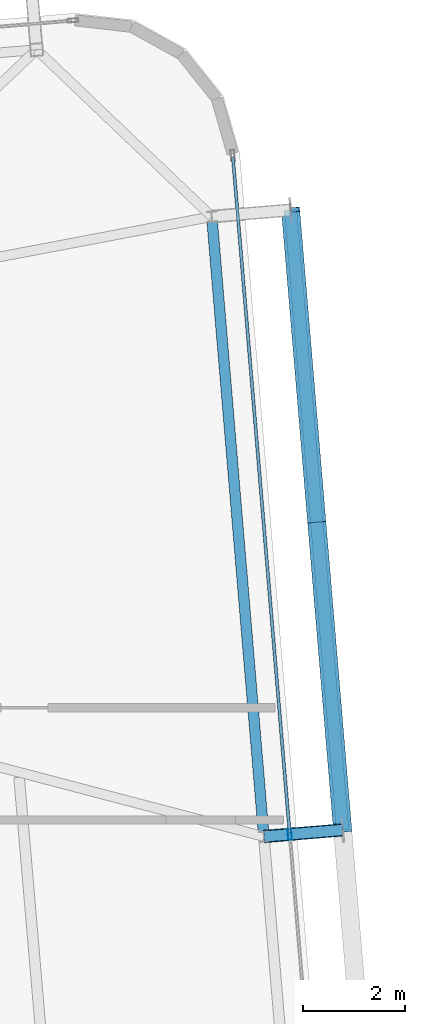
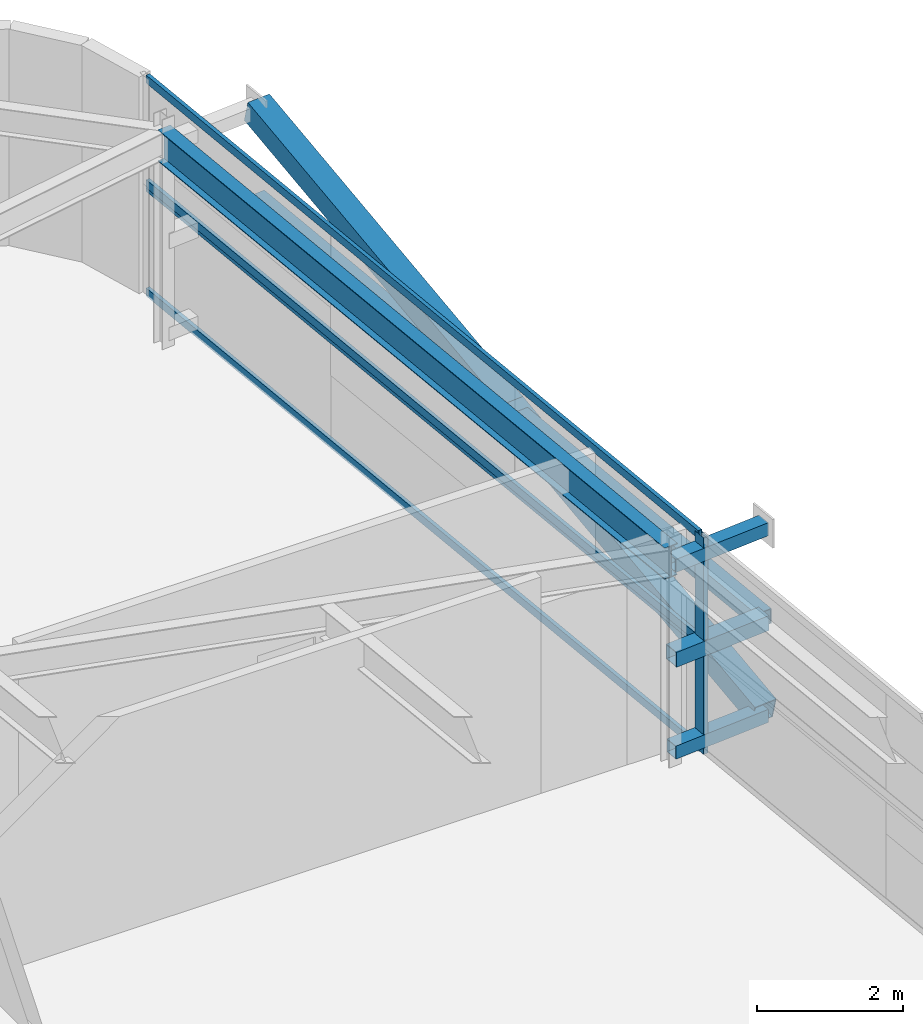
# One storey, part 18 of 38: 12 members, 1 beam, 2 elements without a shape of their own.
"""IFC4 building model written with IfcOpenShell, lengths in metres."""

import ifcopenshell
import ifcopenshell.guid

model = None  # the IFC model being written
_history = None  # IfcOwnerHistory: only IFC2X3 demands one
_inside = {}  # id of a spatial element -> (the spatial element, [elements in it])
_under = {}  # id of a project, library or spatial element -> (it, [spatial elements below it])
_declared = {}  # id of a project -> (the project, [libraries it declares])
_typed = {}  # id of a type object -> (the type object, [elements of that type])
_made_of = {}  # id of a material, layer set ... -> (it, [elements and type objects made of it])


def new_model(schema):
    """Start an empty IFC model of exactly this schema.

    Asked for "IFC4X3", IfcOpenShell would pick the latest addendum, in which some entities
    have other attributes; the version numbers below select the first issue.
    IFC2X3 requires an IfcOwnerHistory on every rooted entity: one is made here for all.
    """
    global model, _history
    if schema == "IFC4X3":
        model = ifcopenshell.file(schema_version=(4, 3, 0, 0))
    else:
        model = ifcopenshell.file(schema=schema)
    _inside.clear()
    _under.clear()
    _declared.clear()
    _typed.clear()
    _made_of.clear()
    _history = None
    if model.schema == "IFC2X3":
        org = make("IfcOrganization", Name="unknown")
        user = make(
            "IfcPersonAndOrganization",
            ThePerson=make("IfcPerson", FamilyName="unknown"),
            TheOrganization=org,
        )
        app = make(
            "IfcApplication",
            ApplicationDeveloper=org,
            Version="unknown",
            ApplicationFullName="unknown",
            ApplicationIdentifier="unknown",
        )
        _history = make(
            "IfcOwnerHistory",
            OwningUser=user,
            OwningApplication=app,
            ChangeAction="ADDED",
            CreationDate=0,
        )
    return model


def make(cls, **values):
    """One entity of the class cls with the attributes given. An attribute that is None is left unset."""
    return model.create_entity(
        cls, **{name: value for name, value in values.items() if value is not None}
    )


def rooted(cls, **values):
    """An entity with a GlobalId (a new one), such as an element, a storey or a relation."""
    return make(cls, GlobalId=ifcopenshell.guid.new(), OwnerHistory=_history, **values)


def si_unit(unit_type, name, prefix=None):
    """IfcSIUnit, for example si_unit("LENGTHUNIT", "METRE", prefix="MILLI")."""
    return make("IfcSIUnit", UnitType=unit_type, Prefix=prefix, Name=name)


def assignment(units):
    """IfcUnitAssignment: the units of a project."""
    return None if units is None else make("IfcUnitAssignment", Units=units)


def point(xyz):
    """IfcCartesianPoint."""
    return None if xyz is None else make("IfcCartesianPoint", Coordinates=xyz)


def direction(xyz):
    """IfcDirection."""
    return None if xyz is None else make("IfcDirection", DirectionRatios=xyz)


def frame(location, z_axis=None, x_axis=None):
    """IfcAxis2Placement3D, a coordinate frame: its origin and axes. An axis left out is left unset."""
    return make(
        "IfcAxis2Placement3D",
        Location=point(location),
        Axis=direction(z_axis),
        RefDirection=direction(x_axis),
    )


def frame_2d(location, x_axis=None):
    """IfcAxis2Placement2D, a coordinate frame in the plane: its origin and x axis."""
    return make(
        "IfcAxis2Placement2D", Location=point(location), RefDirection=direction(x_axis)
    )


def origin():
    """The frame at (0, 0, 0) with its axes left unset."""
    return frame((0.0, 0.0, 0.0))


def origin_2d():
    """The frame at (0, 0) in the plane with its x axis left unset."""
    return frame_2d((0.0, 0.0))


def place(relative_to, where):
    """IfcLocalPlacement: puts the frame where relative to a parent placement (None: the world)."""
    return make(
        "IfcLocalPlacement", PlacementRelTo=relative_to, RelativePlacement=where
    )


def context(
    kind, dimensions, precision=None, world=None, true_north=None, identifier=None
):
    """IfcGeometricRepresentationContext, for example the 3D "Model" context."""
    return make(
        "IfcGeometricRepresentationContext",
        ContextIdentifier=identifier,
        ContextType=kind,
        CoordinateSpaceDimension=dimensions,
        Precision=precision,
        WorldCoordinateSystem=world,
        TrueNorth=true_north,
    )


def subcontext(parent, identifier, kind, view, scale=None):
    """IfcGeometricRepresentationSubContext, for example "Body" below "Model"."""
    return make(
        "IfcGeometricRepresentationSubContext",
        ContextIdentifier=identifier,
        ContextType=kind,
        ParentContext=parent,
        TargetScale=scale,
        TargetView=view,
    )


def project(units=None, contexts=None):
    """IfcProject with its units and contexts."""
    return rooted(
        "IfcProject",
        Name="project",
        RepresentationContexts=contexts,
        UnitsInContext=assignment(units),
    )


def spatial(cls, under=None, at=None, **own):
    """A site, building, storey or space (cls), placed at a placement, below another one or the project."""
    s = rooted(cls, ObjectPlacement=at, **own)
    if under is not None:
        _under.setdefault(under.id(), (under, []))[1].append(s)
    return s


def profile(cls, at=None, kind="AREA", **sizes):
    """A parametric profile (cls). Its sizes go by their IFC names, for example OverallWidth=200.0."""
    return make(cls, ProfileType=kind, Position=at, **sizes)


def hollow_rectangle(**sizes):
    """IfcRectangleHollowProfileDef."""
    return profile("IfcRectangleHollowProfileDef", **sizes)


def i_section(**sizes):
    """IfcIShapeProfileDef."""
    return profile("IfcIShapeProfileDef", **sizes)


def extrude(swept, where, along, depth):
    """IfcExtrudedAreaSolid: the profile swept, set in the frame where, extruded along a direction by depth."""
    return make(
        "IfcExtrudedAreaSolid",
        SweptArea=swept,
        Position=where,
        ExtrudedDirection=direction(along),
        Depth=depth,
    )


def shape(context_of_items, identifier, shape_type, items):
    """IfcShapeRepresentation: the items that make up one representation, for example the "Body"."""
    return make(
        "IfcShapeRepresentation",
        ContextOfItems=context_of_items,
        RepresentationIdentifier=identifier,
        RepresentationType=shape_type,
        Items=items,
    )


def source(mapping_origin, context_of_items, identifier, shape_type, items):
    """IfcRepresentationMap: a shape defined once, which mapped items show again and again."""
    return make(
        "IfcRepresentationMap",
        MappingOrigin=mapping_origin,
        MappedRepresentation=shape(context_of_items, identifier, shape_type, items),
    )


def transform(
    local_origin,
    x_axis=None,
    y_axis=None,
    z_axis=None,
    scale=None,
    scale2=None,
    scale3=None,
    uniform=True,
):
    """IfcCartesianTransformationOperator3D, or its non-uniform kind. x_axis, y_axis, z_axis: its Axis1, 2, 3."""
    if uniform:
        return make(
            "IfcCartesianTransformationOperator3D",
            Axis1=direction(x_axis),
            Axis2=direction(y_axis),
            LocalOrigin=point(local_origin),
            Scale=scale,
            Axis3=direction(z_axis),
        )
    return make(
        "IfcCartesianTransformationOperator3DnonUniform",
        Axis1=direction(x_axis),
        Axis2=direction(y_axis),
        LocalOrigin=point(local_origin),
        Scale=scale,
        Axis3=direction(z_axis),
        Scale2=scale2,
        Scale3=scale3,
    )


def mapped(mapping_source, mapping_target):
    """IfcMappedItem: shows the shape of a source again, moved by a transform."""
    return make(
        "IfcMappedItem", MappingSource=mapping_source, MappingTarget=mapping_target
    )


def material(Name=None, Category=None):
    """IfcMaterial."""
    return make("IfcMaterial", Name=Name, Category=Category)


def layer(
    of_material, thickness, ventilated=None, Name=None, Category=None, Priority=None
):
    """IfcMaterialLayer: one layer of a wall or slab, of a material (None: an air gap)."""
    return make(
        "IfcMaterialLayer",
        Material=of_material,
        LayerThickness=thickness,
        IsVentilated=ventilated,
        Name=Name,
        Category=Category,
        Priority=Priority,
    )


def layer_set(layers, Name=None):
    """IfcMaterialLayerSet."""
    return make("IfcMaterialLayerSet", MaterialLayers=layers, LayerSetName=Name)


def material_profile(
    of_material, cross_section, Name=None, Category=None, Priority=None
):
    """IfcMaterialProfile: a cross section and its material."""
    return make(
        "IfcMaterialProfile",
        Name=Name,
        Material=of_material,
        Profile=cross_section,
        Priority=Priority,
        Category=Category,
    )


def profile_set(profiles, Name=None, composite=None):
    """IfcMaterialProfileSet."""
    return make(
        "IfcMaterialProfileSet",
        Name=Name,
        MaterialProfiles=profiles,
        CompositeProfile=composite,
    )


def made_of(thing, what):
    """Note that an element or type object is made of a material, layer set ...; save() writes the relation."""
    if what is not None:
        _made_of.setdefault(what.id(), (what, []))[1].append(thing)
    return thing


def type_object(cls, material=None, **own):
    """A type object (cls), such as IfcWallType, which elements share."""
    return made_of(rooted(cls, **own), material)


def element(
    cls,
    number,
    at=None,
    inside=None,
    cuts=None,
    type_object=None,
    material=None,
    context=None,
    identifier="Body",
    shape_type=None,
    held_by="IfcProductDefinitionShape",
    body=None,
    shapes=None,
    **own,
):
    """One element of the class cls, such as IfcWall. Its Tag is "e" and its number.

    at: its placement. inside: the storey or other place that contains it. cuts: it is an
    opening in that element (IfcRelVoidsElement). A single representation is given by context,
    identifier, shape_type and body (its items); several are given by shapes. held_by: the class
    of the entity that holds the representations. save() writes the other relations.
    """
    e = rooted(cls, Tag="e%d" % number, ObjectPlacement=at, **own)
    if body is not None:
        shapes = [shape(context, identifier, shape_type, body)]
    if shapes is not None:
        e.Representation = make(held_by, Representations=shapes)
    if inside is not None:
        _inside.setdefault(inside.id(), (inside, []))[1].append(e)
    if cuts is not None:
        rooted(
            "IfcRelVoidsElement", RelatingBuildingElement=cuts, RelatedOpeningElement=e
        )
    if type_object is not None:
        _typed.setdefault(type_object.id(), (type_object, []))[1].append(e)
    return made_of(e, material)


def aggregate(whole, parts):
    """IfcRelAggregates: a whole, such as a stair, and the parts it consists of."""
    return rooted("IfcRelAggregates", RelatingObject=whole, RelatedObjects=parts)


def save(model, path):
    """Write the relations noted so far, then the file.

    IfcRelAggregates (storeys below a building ...), IfcRelContainedInSpatialStructure (elements
    in a storey), IfcRelDefinesByType, IfcRelAssociatesMaterial and IfcRelDeclares: one each for
    every whole, place, type object, material and project.
    """
    for whole, parts in _under.values():
        aggregate(whole, parts)
    for where, things in _inside.values():
        rooted(
            "IfcRelContainedInSpatialStructure",
            RelatedElements=things,
            RelatingStructure=where,
        )
    for kind, things in _typed.values():
        rooted("IfcRelDefinesByType", RelatedObjects=things, RelatingType=kind)
    for what, things in _made_of.values():
        rooted("IfcRelAssociatesMaterial", RelatedObjects=things, RelatingMaterial=what)
    for by, libraries in _declared.values():
        rooted("IfcRelDeclares", RelatingContext=by, RelatedDefinitions=libraries)
    model.write(path)


model = new_model("IFC4")

# Units and contexts
model_context = context("Model", 3, precision=1e-05, world=origin(), true_north=direction((0.0, 1.0)))
body_context = subcontext(model_context, "Body", "Model", "MODEL_VIEW")
ifc_project = project(units=[si_unit("LENGTHUNIT", "METRE"), si_unit("AREAUNIT", "SQUARE_METRE"), si_unit("VOLUMEUNIT", "CUBIC_METRE"), si_unit("PLANEANGLEUNIT", "RADIAN"), si_unit("MASSUNIT", "GRAM", prefix="KILO")], contexts=[model_context])

# Site, building, storey
site_placement = place(None, origin())
site = spatial("IfcSite", under=ifc_project, at=site_placement, CompositionType="ELEMENT")
building_placement = place(site_placement, origin())
building = spatial("IfcBuilding", under=site, at=building_placement, Name="Taldren Reach Tower", CompositionType="ELEMENT")
storey_placement = place(building_placement, frame((0.0, 0.0, 168.699951171875)))
storey = spatial("IfcBuildingStorey", under=building, at=storey_placement, Name="L51", CompositionType="ELEMENT", Elevation=168.699951171875)

# Beam
ifc_material_1 = material(Name="Steel Gr 350 (350PLUS)", Category="steel")
ifc_material_profile_1 = material_profile(ifc_material_1, i_section(OverallWidth=0.208984375, OverallDepth=0.528076171875, WebThickness=0.009521484375, FlangeThickness=0.01318359375, at=origin_2d()), Name="530UB82.0")
ifc_profile_set_1 = profile_set([ifc_material_profile_1], Name="Steel Gr 350 (350PLUS)")
beam_type = type_object("IfcBeamType", Name="SP-UB530B", PredefinedType="SPANDREL", material=ifc_profile_set_1)
shared_shape_1 = source(origin(), body_context, "Body", "SweptSolid", [
    extrude(i_section(OverallWidth=0.208984375, OverallDepth=0.528076171875, WebThickness=0.009521484375, FlangeThickness=0.01318359375, at=origin_2d()), origin(), (0.0, 0.0, 1.0), 12.199951171875),
])
beam_placement = place(storey_placement, frame((60.6171875, 21.474853515625, 3.365966796875), z_axis=(-0.083668166953, 0.99649367175, 0.0), x_axis=(-0.99649367175, -0.083668166953, 0.0)))
element("IfcBeam", 1, at=beam_placement, inside=storey, type_object=beam_type, Name="Perimeter spandrel B4 E2-E3 L51", PredefinedType="SPANDREL", context=body_context, shape_type="MappedRepresentation", body=[
    mapped(shared_shape_1, transform((0.0, 0.0, 0.0), scale=1.0)),
])

# Members
ifc_material_2 = material(Name="Steel Gr 450 (C450L0)", Category="steel")
ifc_material_profile_2 = material_profile(ifc_material_2, hollow_rectangle(XDim=0.219970703125, YDim=0.219970703125, WallThickness=0.00830078125, at=origin_2d()), Name="220x220x8.2SHS")
ifc_profile_set_2 = profile_set([ifc_material_profile_2], Name="Steel Gr 450 (C450L0)")
member_type_1 = type_object("IfcMemberType", Name="MB-TIE219", PredefinedType="STRUT", material=ifc_profile_set_2)
shared_shape_2 = source(origin(), body_context, "Body", "SweptSolid", [
    extrude(hollow_rectangle(XDim=0.219970703125, YDim=0.219970703125, WallThickness=0.00830078125, at=origin_2d()), origin(), (0.0, 0.0, 1.0), 1.54541015625),
])
for number, where, z_axis, x_axis, name in (
    (2, (60.621826171875, 21.47509765625, 3.35009765625), (0.99648887425, 0.083725285883, 0.0), (-0.083725285883, 0.99648887425, 0.0), "Exoskeleton diaphragm tie strut B4-E2 L51"),
    (3, (60.621826171875, 21.47509765625, 0.219970703125), (0.99648887425, 0.083725285883, 0.0), (-0.083725285883, 0.99648887425, 0.0), "Exoskeleton base diaphragm tie strut B4-E2 L51"),
):
    element("IfcMember", number, at=place(storey_placement, frame(where, z_axis=z_axis, x_axis=x_axis)), inside=storey, type_object=member_type_1, Name=name, PredefinedType="STRUT", context=body_context, shape_type="MappedRepresentation", body=[
        mapped(shared_shape_2, transform((0.0, 0.0, 0.0), scale=1.0)),
    ])
ifc_material_profile_3 = material_profile(ifc_material_2, hollow_rectangle(XDim=0.360107421875, YDim=0.360107421875, WallThickness=0.0126953125, at=origin_2d()), Name="360x360x12.7SHS")
ifc_profile_set_3 = profile_set([ifc_material_profile_3], Name="Steel Gr 450 (C450L0)")
member_type_2 = type_object("IfcMemberType", Name="MB-EXO356", PredefinedType="BRACE", material=ifc_profile_set_3)
shared_shape_3 = source(origin(), body_context, "Body", "SweptSolid", [
    extrude(hollow_rectangle(XDim=0.360107421875, YDim=0.360107421875, WallThickness=0.0126953125, at=origin_2d()), origin(), (0.0, 0.0, 1.0), 6.297607421875),
])
for number, where, z_axis, x_axis, name in (
    (4, (62.161865234375, 21.6044921875, 0.219970703125), (-0.081062125056, 0.965224672233, 0.248536242818), (-0.996492003099, -0.083688038336, 0.0), "Exoskeleton Diagrid Brace B4-E2 L51"),
    (5, (61.6513671875, 27.68310546875, 1.78515625), (-0.081062906043, 0.965233971624, 0.248499869793), (-0.996492003099, -0.083688038336, 0.0), "Exoskeleton Diagrid Brace B4-E2 L51"),
):
    element("IfcMember", number, at=place(storey_placement, frame(where, z_axis=z_axis, x_axis=x_axis)), inside=storey, type_object=member_type_2, Name=name, PredefinedType="BRACE", context=body_context, shape_type="MappedRepresentation", body=[
        mapped(shared_shape_3, transform((0.0, 0.0, 0.0), scale=1.0)),
    ])
ifc_material_3 = material(Name="Steel Gr 350 (C350L0)", Category="steel")
ifc_material_profile_4 = material_profile(ifc_material_3, hollow_rectangle(XDim=0.25, YDim=0.25, WallThickness=0.010009765625, at=origin_2d()), Name="250x250x10.0SHS")
ifc_profile_set_4 = profile_set([ifc_material_profile_4], Name="Steel Gr 350 (C350L0)")
member_type_3 = type_object("IfcMemberType", Name="MB-POST250", PredefinedType="POST", material=ifc_profile_set_4)
shared_shape_4 = source(origin(), body_context, "Body", "SweptSolid", [
    extrude(hollow_rectangle(XDim=0.25, YDim=0.25, WallThickness=0.010009765625, at=origin_2d()), origin(), (0.0, 0.0, 1.0), 12.199951171875),
])
member_1_placement = place(storey_placement, frame((62.161865234375, 21.6044921875, 1.78515625), z_axis=(-0.083688038336, 0.996492003099, 0.0), x_axis=(-0.996492003099, -0.083688038336, 0.0)))
element("IfcMember", 6, at=member_1_placement, inside=storey, type_object=member_type_3, Name="Exoskeleton mid-height ring chord B4-E2 L51", PredefinedType="POST", context=body_context, shape_type="MappedRepresentation", body=[
    mapped(shared_shape_4, transform((0.0, 0.0, 0.0), scale=1.0)),
])
shared_shape_5 = source(origin(), body_context, "Body", "SweptSolid", [
    extrude(hollow_rectangle(XDim=0.25, YDim=0.25, WallThickness=0.010009765625, at=origin_2d()), origin(), (0.0, 0.0, 1.0), 1.54541015625),
])
member_2_placement = place(storey_placement, frame((60.621826171875, 21.47509765625, 1.78515625), z_axis=(0.99648887425, 0.083725285883, 0.0), x_axis=(-0.083725285883, 0.99648887425, 0.0)))
element("IfcMember", 7, at=member_2_placement, inside=storey, type_object=member_type_3, Name="Exoskeleton mid-tier diaphragm tie B4-E2 L51", PredefinedType="POST", context=body_context, shape_type="MappedRepresentation", body=[
    mapped(shared_shape_5, transform((0.0, 0.0, 0.0), scale=1.0)),
])

# Curtain wall, member
ifc_material_4 = material(Name="Aluminium and Low-E Glass Unitised System", Category="aluminium")
ifc_layer = layer(ifc_material_4, 0.159912109375)
ifc_layer_set = layer_set([ifc_layer], Name="Aluminium and Low-E Glass Unitised System")
curtain_wall_type = type_object("IfcCurtainWallType", Name="CW-SYS-7", PredefinedType="NOTDEFINED", material=ifc_layer_set)
curtain_wall_1_placement = place(storey_placement, origin())
curtain_wall_1 = element("IfcCurtainWall", 8, at=curtain_wall_1_placement, inside=storey, type_object=curtain_wall_type, Name="Unitised curtain wall CW-L51-E", PredefinedType="NOTDEFINED")
ifc_material_5 = material(Name="Anodised Aluminium 6063-T6", Category="aluminium")
ifc_material_profile_5 = material_profile(ifc_material_5, hollow_rectangle(XDim=0.074951171875, YDim=0.2099609375, WallThickness=0.00439453125, at=origin_2d()), Name="ALU-210x75x4.5RHS")
ifc_profile_set_5 = profile_set([ifc_material_profile_5], Name="Anodised Aluminium 6063-T6")
member_type_4 = type_object("IfcMemberType", Name="CW-MUL-200", PredefinedType="MULLION", material=ifc_profile_set_5)
shared_shape_6 = source(origin(), body_context, "Body", "SweptSolid", [
    extrude(hollow_rectangle(XDim=0.074951171875, YDim=0.2099609375, WallThickness=0.00439453125, at=origin_2d()), origin(), (0.0, 0.0, 1.0), 1.81494140625),
])
member_3_placement = place(storey_placement, frame((61.12548828125, 21.517578125, 0.0), z_axis=(0.0, 0.0, 1.0), x_axis=(-0.996492847789, -0.083677979808, 0.0)))
member_3 = element("IfcMember", 9, at=member_3_placement, type_object=member_type_4, Name="CW-7 mullion 2", PredefinedType="MULLION", context=body_context, shape_type="MappedRepresentation", body=[
    mapped(shared_shape_6, transform((0.0, 0.0, 0.0), scale=1.0)),
])

curtain_wall_2_placement = place(storey_placement, origin())
curtain_wall_2 = element("IfcCurtainWall", 10, at=curtain_wall_2_placement, inside=storey, type_object=curtain_wall_type, Name="Unitised curtain wall CW-L51-E-T2", PredefinedType="NOTDEFINED")
shared_shape_7 = source(origin(), body_context, "Body", "SweptSolid", [
    extrude(hollow_rectangle(XDim=0.074951171875, YDim=0.2099609375, WallThickness=0.00439453125, at=origin_2d()), origin(), (0.0, 0.0, 1.0), 1.815185546875),
])
member_4_placement = place(storey_placement, frame((61.12548828125, 21.517578125, 1.81494140625), z_axis=(0.0, 0.0, 1.0), x_axis=(-0.996492847789, -0.083677979808, 0.0)))
member_4 = element("IfcMember", 11, at=member_4_placement, type_object=member_type_4, Name="CW-7 mullion 2", PredefinedType="MULLION", context=body_context, shape_type="MappedRepresentation", body=[
    mapped(shared_shape_7, transform((0.0, 0.0, 0.0), scale=1.0)),
])

# Member
ifc_material_profile_6 = material_profile(ifc_material_5, hollow_rectangle(XDim=0.06005859375, YDim=0.135009765625, WallThickness=0.00341796875, at=origin_2d()), Name="ALU-135x60x3.5RHS")
ifc_profile_set_6 = profile_set([ifc_material_profile_6], Name="Anodised Aluminium 6063-T6")
member_type_5 = type_object("IfcMemberType", Name="CW-TRN-150", PredefinedType="USERDEFINED", material=ifc_profile_set_6)
shared_shape_8 = source(origin(), body_context, "Body", "SweptSolid", [
    extrude(hollow_rectangle(XDim=0.06005859375, YDim=0.135009765625, WallThickness=0.00341796875, at=origin_2d()), origin(), (0.0, 0.0, 1.0), 13.287353515625),
])
member_5_placement = place(storey_placement, frame((61.122314453125, 21.554931640625, 0.030029296875), z_axis=(-0.083674993012, 0.996493098594, 0.0), x_axis=(-0.996493098594, -0.083674993012, 0.0)))
member_5 = element("IfcMember", 12, at=member_5_placement, type_object=member_type_5, Name="CW-7 transom 2.1", ObjectType="TRANSOM", PredefinedType="USERDEFINED", context=body_context, shape_type="MappedRepresentation", body=[
    mapped(shared_shape_8, transform((0.0, 0.0, 0.0), scale=1.0)),
])

member_6_placement = place(storey_placement, frame((61.122314453125, 21.554931640625, 1.78515625), z_axis=(-0.083674993012, 0.996493098594, 0.0), x_axis=(-0.996493098594, -0.083674993012, 0.0)))
member_6 = element("IfcMember", 13, at=member_6_placement, type_object=member_type_5, Name="CW-7 transom 2.2", ObjectType="TRANSOM", PredefinedType="USERDEFINED", context=body_context, shape_type="MappedRepresentation", body=[
    mapped(shared_shape_8, transform((0.0, 0.0, 0.0), scale=1.0)),
])

aggregate(curtain_wall_1, [member_3, member_5, member_6])

member_7_placement = place(storey_placement, frame((61.122314453125, 21.554931640625, 1.844970703125), z_axis=(-0.083674993012, 0.996493098594, 0.0), x_axis=(-0.996493098594, -0.083674993012, 0.0)))
member_7 = element("IfcMember", 14, at=member_7_placement, type_object=member_type_5, Name="CW-7 transom 2.1", ObjectType="TRANSOM", PredefinedType="USERDEFINED", context=body_context, shape_type="MappedRepresentation", body=[
    mapped(shared_shape_8, transform((0.0, 0.0, 0.0), scale=1.0)),
])

member_8_placement = place(storey_placement, frame((61.122314453125, 21.554931640625, 3.60009765625), z_axis=(-0.083674993012, 0.996493098594, 0.0), x_axis=(-0.996493098594, -0.083674993012, 0.0)))
member_8 = element("IfcMember", 15, at=member_8_placement, type_object=member_type_5, Name="CW-7 transom 2.2", ObjectType="TRANSOM", PredefinedType="USERDEFINED", context=body_context, shape_type="MappedRepresentation", body=[
    mapped(shared_shape_8, transform((0.0, 0.0, 0.0), scale=1.0)),
])

aggregate(curtain_wall_2, [member_4, member_7, member_8])

save(model, "model.ifc")
